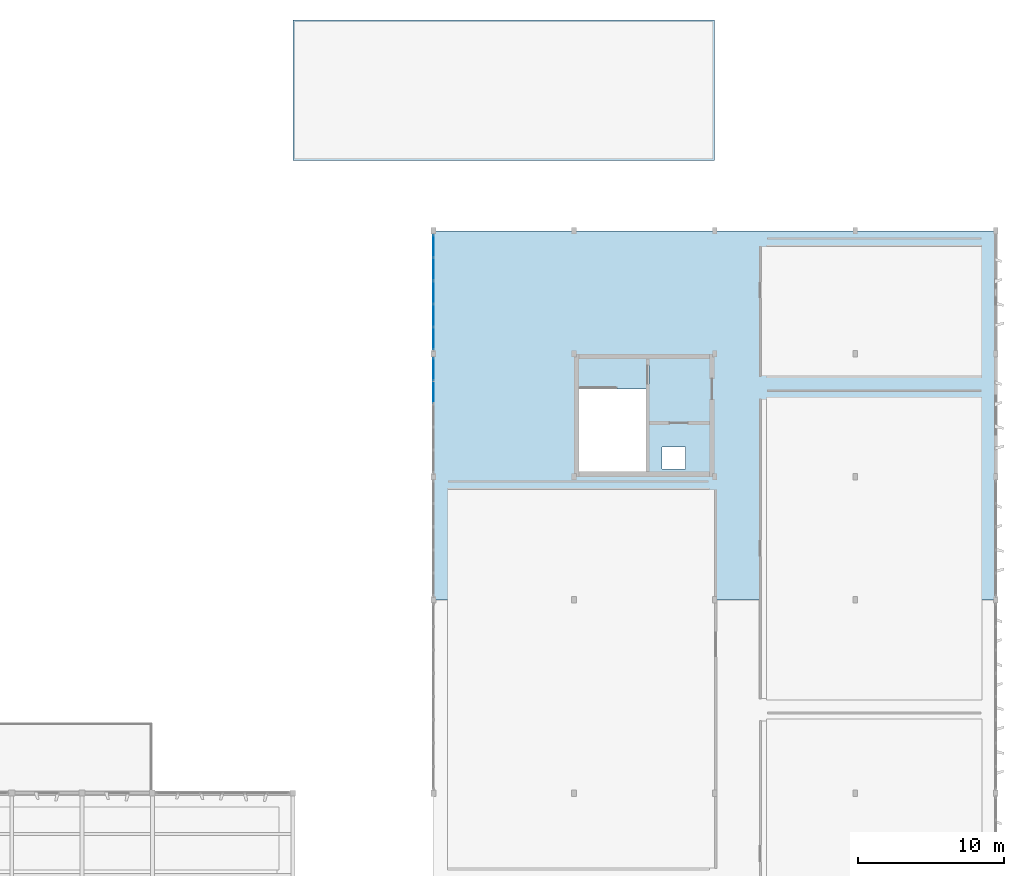
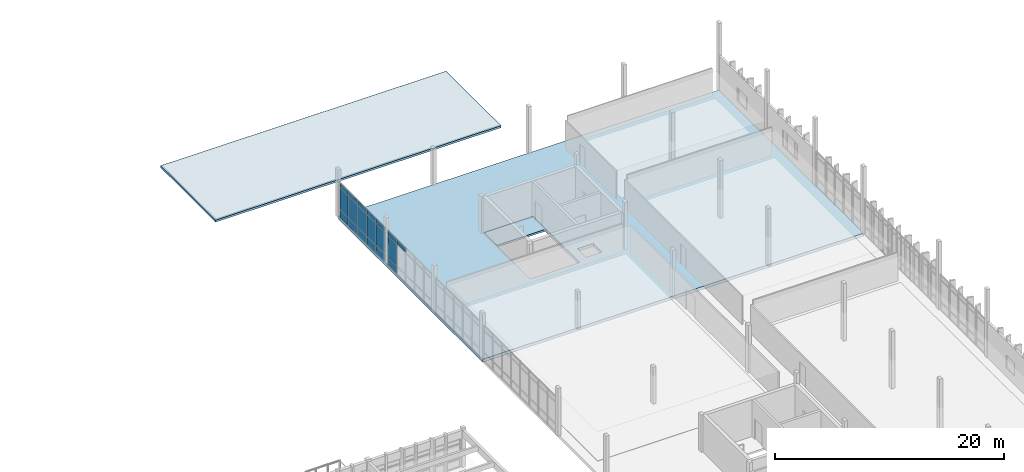
# One storey, part 36 of 61: 19 plates, 3 slabs, 2 elements without a shape of their own.
"""IFC4 building model written with IfcOpenShell, lengths in metres."""

from ifc_helpers import new_model, si_unit, direction, frame, origin, origin_2d, place, context, subcontext, project, spatial, polyline, rectangle, outline, extrude, material, layer, layer_set, type_object, element, aggregate, save


model = new_model("IFC4")

# Units and contexts
model_context = context("Model", 3, precision=1e-05, world=origin(), true_north=direction((0.0, 1.0)))
body_context = subcontext(model_context, "Body", "Model", "MODEL_VIEW")
ifc_project = project(units=[si_unit("LENGTHUNIT", "METRE"), si_unit("AREAUNIT", "SQUARE_METRE"), si_unit("VOLUMEUNIT", "CUBIC_METRE"), si_unit("PLANEANGLEUNIT", "RADIAN"), si_unit("MASSUNIT", "GRAM", prefix="KILO")], contexts=[model_context])

# Site, building, storey
site_placement = place(None, origin())
site = spatial("IfcSite", under=ifc_project, at=site_placement, CompositionType="ELEMENT")
building_placement = place(site_placement, origin())
building = spatial("IfcBuilding", under=site, at=building_placement, Name="Kolvemor Railside Polytechnic", CompositionType="ELEMENT")
storey_placement = place(building_placement, frame((0.0, 0.0, 10.199951171875)))
storey = spatial("IfcBuildingStorey", under=building, at=storey_placement, Name="L02", CompositionType="ELEMENT", Elevation=10.199951171875)

# Curtain wall, plates
ifc_material_1 = material(Name="Anodised marine aluminium and laminated low-E glass", Category="aluminium")
ifc_layer_1 = layer(ifc_material_1, 0.179931640625, Name="CW-UNIT-STD")
ifc_layer_set_1 = layer_set([ifc_layer_1], Name="Anodised marine aluminium and laminated low-E glass")
curtain_wall_type = type_object("IfcCurtainWallType", Name="CW-UNIT-STD", PredefinedType="USERDEFINED", material=ifc_layer_set_1)
curtain_wall_1_placement = place(storey_placement, origin())
curtain_wall_1 = element("IfcCurtainWall", 1, at=curtain_wall_1_placement, inside=storey, type_object=curtain_wall_type, Name="Curtain Wall L02-081", ObjectType="UNITISED CURTAIN WALL", PredefinedType="USERDEFINED")
ifc_material_2 = material(Name="Hurricane-laminated solar-control low-E glass", Category="glass")
ifc_layer_2 = layer(ifc_material_2, 0.050048828125, Name="CWP-GLZ-15")
ifc_layer_set_2 = layer_set([ifc_layer_2], Name="Hurricane-laminated solar-control low-E glass")
plate_type_1 = type_object("IfcPlateType", Name="CWP-GLZ-15", PredefinedType="CURTAIN_PANEL", material=ifc_layer_set_2)
plate_1_placement = place(storey_placement, frame((144.0, 67.349365234375, 0.074951171875), z_axis=(0.0, 0.0, 1.0), x_axis=(0.0, -1.0, 0.0)))
plate_1 = element("IfcPlate", 2, at=plate_1_placement, type_object=plate_type_1, Name="CW-STD panel 1.1", PredefinedType="CURTAIN_PANEL", context=body_context, shape_type="SweptSolid", body=[
    extrude(rectangle(XDim=1.471435546875, YDim=0.050048828125, at=origin_2d()), origin(), (0.0, 0.0, 1.0), 0.78759765625),
])
plate_2_placement = place(storey_placement, frame((144.0, 67.349365234375, 0.9375), z_axis=(0.0, 0.0, 1.0), x_axis=(0.0, -1.0, 0.0)))
plate_2 = element("IfcPlate", 3, at=plate_2_placement, type_object=plate_type_1, Name="CW-STD panel 1.2", PredefinedType="CURTAIN_PANEL", context=body_context, shape_type="SweptSolid", body=[
    extrude(rectangle(XDim=1.471435546875, YDim=0.050048828125, at=origin_2d()), origin(), (0.0, 0.0, 1.0), 2.27490234375),
])
plate_3_placement = place(storey_placement, frame((144.0, 67.349365234375, 3.28759765625), z_axis=(0.0, 0.0, 1.0), x_axis=(0.0, -1.0, 0.0)))
plate_3 = element("IfcPlate", 4, at=plate_3_placement, type_object=plate_type_1, Name="CW-STD panel 1.3", PredefinedType="CURTAIN_PANEL", context=body_context, shape_type="SweptSolid", body=[
    extrude(rectangle(XDim=1.471435546875, YDim=0.050048828125, at=origin_2d()), origin(), (0.0, 0.0, 1.0), 0.4375),
])
plate_4_placement = place(storey_placement, frame((144.0, 65.783935546875, 3.28759765625), z_axis=(0.0, 0.0, 1.0), x_axis=(0.0, -1.0, 0.0)))
plate_4 = element("IfcPlate", 5, at=plate_4_placement, type_object=plate_type_1, Name="CW-STD panel 2.3", PredefinedType="CURTAIN_PANEL", context=body_context, shape_type="SweptSolid", body=[
    extrude(rectangle(XDim=1.509033203125, YDim=0.050048828125, at=origin_2d()), origin(), (0.0, 0.0, 1.0), 0.4375),
])
aggregate(curtain_wall_1, [plate_1, plate_2, plate_3, plate_4])

curtain_wall_2_placement = place(storey_placement, origin())
curtain_wall_2 = element("IfcCurtainWall", 6, at=curtain_wall_2_placement, inside=storey, type_object=curtain_wall_type, Name="Curtain Wall L02-088", ObjectType="UNITISED CURTAIN WALL", PredefinedType="USERDEFINED")
ifc_material_3 = material(Name="Hurricane-laminated solar-control low-E glass", Category="glass")
ifc_layer_3 = layer(ifc_material_3, 0.052001953125, Name="CWP-GLZ-16")
ifc_layer_set_3 = layer_set([ifc_layer_3], Name="Hurricane-laminated solar-control low-E glass")
plate_type_2 = type_object("IfcPlateType", Name="CWP-GLZ-16", PredefinedType="CURTAIN_PANEL", material=ifc_layer_set_3)
plate_5_placement = place(storey_placement, frame((144.0, 75.749267578125, 0.074951171875), z_axis=(0.0, 0.0, 1.0), x_axis=(0.0, -1.0, 0.0)))
plate_5 = element("IfcPlate", 7, at=plate_5_placement, type_object=plate_type_2, Name="CW-STD panel 1.1", PredefinedType="CURTAIN_PANEL", context=body_context, shape_type="SweptSolid", body=[
    extrude(rectangle(XDim=1.471435546875, YDim=0.052001953125, at=origin_2d()), origin(), (0.0, 0.0, 1.0), 0.78759765625),
])
plate_6_placement = place(storey_placement, frame((144.0, 75.749267578125, 0.9375), z_axis=(0.0, 0.0, 1.0), x_axis=(0.0, -1.0, 0.0)))
plate_6 = element("IfcPlate", 8, at=plate_6_placement, type_object=plate_type_2, Name="CW-STD panel 1.2", PredefinedType="CURTAIN_PANEL", context=body_context, shape_type="SweptSolid", body=[
    extrude(rectangle(XDim=1.471435546875, YDim=0.052001953125, at=origin_2d()), origin(), (0.0, 0.0, 1.0), 2.27490234375),
])
plate_7_placement = place(storey_placement, frame((144.0, 75.749267578125, 3.28759765625), z_axis=(0.0, 0.0, 1.0), x_axis=(0.0, -1.0, 0.0)))
plate_7 = element("IfcPlate", 9, at=plate_7_placement, type_object=plate_type_2, Name="CW-STD panel 1.3", PredefinedType="CURTAIN_PANEL", context=body_context, shape_type="SweptSolid", body=[
    extrude(rectangle(XDim=1.471435546875, YDim=0.052001953125, at=origin_2d()), origin(), (0.0, 0.0, 1.0), 0.4375),
])
plate_8_placement = place(storey_placement, frame((144.0, 74.18408203125, 0.074951171875), z_axis=(0.0, 0.0, 1.0), x_axis=(0.0, -1.0, 0.0)))
plate_8 = element("IfcPlate", 10, at=plate_8_placement, type_object=plate_type_2, Name="CW-STD panel 2.1", PredefinedType="CURTAIN_PANEL", context=body_context, shape_type="SweptSolid", body=[
    extrude(rectangle(XDim=1.509033203125, YDim=0.052001953125, at=origin_2d()), origin(), (0.0, 0.0, 1.0), 0.78759765625),
])
plate_9_placement = place(storey_placement, frame((144.0, 74.18408203125, 0.9375), z_axis=(0.0, 0.0, 1.0), x_axis=(0.0, -1.0, 0.0)))
plate_9 = element("IfcPlate", 11, at=plate_9_placement, type_object=plate_type_2, Name="CW-STD panel 2.2", PredefinedType="CURTAIN_PANEL", context=body_context, shape_type="SweptSolid", body=[
    extrude(rectangle(XDim=1.509033203125, YDim=0.052001953125, at=origin_2d()), origin(), (0.0, 0.0, 1.0), 2.27490234375),
])
plate_10_placement = place(storey_placement, frame((144.0, 74.18408203125, 3.28759765625), z_axis=(0.0, 0.0, 1.0), x_axis=(0.0, -1.0, 0.0)))
plate_10 = element("IfcPlate", 12, at=plate_10_placement, type_object=plate_type_2, Name="CW-STD panel 2.3", PredefinedType="CURTAIN_PANEL", context=body_context, shape_type="SweptSolid", body=[
    extrude(rectangle(XDim=1.509033203125, YDim=0.052001953125, at=origin_2d()), origin(), (0.0, 0.0, 1.0), 0.4375),
])
plate_11_placement = place(storey_placement, frame((144.0, 72.60009765625, 0.074951171875), z_axis=(0.0, 0.0, 1.0), x_axis=(0.0, -1.0, 0.0)))
plate_11 = element("IfcPlate", 13, at=plate_11_placement, type_object=plate_type_2, Name="CW-STD panel 3.1", PredefinedType="CURTAIN_PANEL", context=body_context, shape_type="SweptSolid", body=[
    extrude(rectangle(XDim=1.509033203125, YDim=0.052001953125, at=origin_2d()), origin(), (0.0, 0.0, 1.0), 0.78759765625),
])
plate_12_placement = place(storey_placement, frame((144.0, 72.60009765625, 0.9375), z_axis=(0.0, 0.0, 1.0), x_axis=(0.0, -1.0, 0.0)))
plate_12 = element("IfcPlate", 14, at=plate_12_placement, type_object=plate_type_2, Name="CW-STD panel 3.2", PredefinedType="CURTAIN_PANEL", context=body_context, shape_type="SweptSolid", body=[
    extrude(rectangle(XDim=1.509033203125, YDim=0.052001953125, at=origin_2d()), origin(), (0.0, 0.0, 1.0), 2.27490234375),
])
plate_13_placement = place(storey_placement, frame((144.0, 72.60009765625, 3.28759765625), z_axis=(0.0, 0.0, 1.0), x_axis=(0.0, -1.0, 0.0)))
plate_13 = element("IfcPlate", 15, at=plate_13_placement, type_object=plate_type_2, Name="CW-STD panel 3.3", PredefinedType="CURTAIN_PANEL", context=body_context, shape_type="SweptSolid", body=[
    extrude(rectangle(XDim=1.509033203125, YDim=0.052001953125, at=origin_2d()), origin(), (0.0, 0.0, 1.0), 0.4375),
])
plate_14_placement = place(storey_placement, frame((144.0, 71.01611328125, 0.074951171875), z_axis=(0.0, 0.0, 1.0), x_axis=(0.0, -1.0, 0.0)))
plate_14 = element("IfcPlate", 16, at=plate_14_placement, type_object=plate_type_2, Name="CW-STD panel 4.1", PredefinedType="CURTAIN_PANEL", context=body_context, shape_type="SweptSolid", body=[
    extrude(rectangle(XDim=1.509033203125, YDim=0.052001953125, at=origin_2d()), origin(), (0.0, 0.0, 1.0), 0.78759765625),
])
plate_15_placement = place(storey_placement, frame((144.0, 71.01611328125, 0.9375), z_axis=(0.0, 0.0, 1.0), x_axis=(0.0, -1.0, 0.0)))
plate_15 = element("IfcPlate", 17, at=plate_15_placement, type_object=plate_type_2, Name="CW-STD panel 4.2", PredefinedType="CURTAIN_PANEL", context=body_context, shape_type="SweptSolid", body=[
    extrude(rectangle(XDim=1.509033203125, YDim=0.052001953125, at=origin_2d()), origin(), (0.0, 0.0, 1.0), 2.27490234375),
])
plate_16_placement = place(storey_placement, frame((144.0, 71.01611328125, 3.28759765625), z_axis=(0.0, 0.0, 1.0), x_axis=(0.0, -1.0, 0.0)))
plate_16 = element("IfcPlate", 18, at=plate_16_placement, type_object=plate_type_2, Name="CW-STD panel 4.3", PredefinedType="CURTAIN_PANEL", context=body_context, shape_type="SweptSolid", body=[
    extrude(rectangle(XDim=1.509033203125, YDim=0.052001953125, at=origin_2d()), origin(), (0.0, 0.0, 1.0), 0.4375),
])
plate_17_placement = place(storey_placement, frame((144.0, 69.45068359375, 0.074951171875), z_axis=(0.0, 0.0, 1.0), x_axis=(0.0, -1.0, 0.0)))
plate_17 = element("IfcPlate", 19, at=plate_17_placement, type_object=plate_type_2, Name="CW-STD panel 5.1", PredefinedType="CURTAIN_PANEL", context=body_context, shape_type="SweptSolid", body=[
    extrude(rectangle(XDim=1.471435546875, YDim=0.052001953125, at=origin_2d()), origin(), (0.0, 0.0, 1.0), 0.78759765625),
])
plate_18_placement = place(storey_placement, frame((144.0, 69.45068359375, 0.9375), z_axis=(0.0, 0.0, 1.0), x_axis=(0.0, -1.0, 0.0)))
plate_18 = element("IfcPlate", 20, at=plate_18_placement, type_object=plate_type_2, Name="CW-STD panel 5.2", PredefinedType="CURTAIN_PANEL", context=body_context, shape_type="SweptSolid", body=[
    extrude(rectangle(XDim=1.471435546875, YDim=0.052001953125, at=origin_2d()), origin(), (0.0, 0.0, 1.0), 2.27490234375),
])
plate_19_placement = place(storey_placement, frame((144.0, 69.45068359375, 3.28759765625), z_axis=(0.0, 0.0, 1.0), x_axis=(0.0, -1.0, 0.0)))
plate_19 = element("IfcPlate", 21, at=plate_19_placement, type_object=plate_type_2, Name="CW-STD panel 5.3", PredefinedType="CURTAIN_PANEL", context=body_context, shape_type="SweptSolid", body=[
    extrude(rectangle(XDim=1.471435546875, YDim=0.052001953125, at=origin_2d()), origin(), (0.0, 0.0, 1.0), 0.4375),
])
aggregate(curtain_wall_2, [plate_5, plate_6, plate_7, plate_8, plate_9, plate_10, plate_11, plate_12, plate_13, plate_14, plate_15, plate_16, plate_17, plate_18, plate_19])

# Slabs
ifc_material_4 = material(Name="Concrete C40/50", Category="concrete")
ifc_layer_4 = layer(ifc_material_4, 0.199951171875, Name="SLB-LND-200")
ifc_layer_set_4 = layer_set([ifc_layer_4], Name="Concrete C40/50")
slab_type_1 = type_object("IfcSlabType", Name="SLB-LND-200", PredefinedType="LANDING", material=ifc_layer_set_4)
slab_1_placement = place(storey_placement, frame((0.0, 0.0, -0.199951171875)))
element("IfcSlab", 22, at=slab_1_placement, inside=storey, type_object=slab_type_1, Name="ST-7 Floor Landing L02", PredefinedType="LANDING", context=body_context, shape_type="SweptSolid", body=[
    extrude(outline(polyline([(153.760009765625, 66.0), (158.68994140625, 66.0), (158.68994140625, 68.239990234375), (153.760009765625, 68.239990234375), (153.760009765625, 66.0)])), origin(), (0.0, 0.0, 1.0), 0.199951171875),
])
ifc_material_5 = material(Name="Concrete C40/50", Category="concrete")
ifc_layer_5 = layer(ifc_material_5, 0.320068359375, Name="SLB-POD-SEP")
ifc_layer_set_5 = layer_set([ifc_layer_5], Name="Concrete C40/50")
slab_type_2 = type_object("IfcSlabType", Name="SLB-POD-SEP", PredefinedType="FLOOR", material=ifc_layer_set_5)
slab_2_placement = place(storey_placement, frame((0.0, 0.0, -0.320068359375)))
element("IfcSlab", 23, at=slab_2_placement, inside=storey, type_object=slab_type_2, Name="V4 Lounge L02 North Slab L02-72", PredefinedType="FLOOR", context=body_context, shape_type="SweptSolid", body=[
    extrude(outline(polyline([(144.0, 51.60009765625), (182.39990234375, 51.60009765625), (182.39990234375, 76.800048828125), (144.0, 76.800048828125), (144.0, 51.60009765625)]), holes=[polyline([(153.739990234375, 60.139892578125), (158.7099609375, 60.139892578125), (158.7099609375, 68.260009765625), (153.739990234375, 68.260009765625), (153.739990234375, 60.139892578125)]), polyline([(159.60009765625, 60.550048828125), (161.199951171875, 60.550048828125), (161.199951171875, 62.050048828125), (159.60009765625, 62.050048828125), (159.60009765625, 60.550048828125)])]), origin(), (0.0, 0.0, 1.0), 0.320068359375),
])
ifc_material_6 = material(Name="Cross-laminated timber CLT E1", Category="wood")
ifc_layer_6 = layer(ifc_material_6, 0.215087890625, Name="SLB-WG-ROOF")
ifc_layer_set_6 = layer_set([ifc_layer_6], Name="Cross-laminated timber CLT E1")
slab_type_3 = type_object("IfcSlabType", Name="SLB-WG-ROOF", PredefinedType="ROOF", material=ifc_layer_set_6)
slab_3_placement = place(storey_placement, frame((0.0, 0.0, -0.21484375)))
element("IfcSlab", 24, at=slab_3_placement, inside=storey, type_object=slab_type_3, Name="East Link Roof Slab L02-75", PredefinedType="ROOF", context=body_context, shape_type="SweptSolid", body=[
    extrude(outline(polyline([(134.39990234375, 81.60009765625), (163.199951171875, 81.60009765625), (163.199951171875, 91.199951171875), (134.39990234375, 91.199951171875), (134.39990234375, 81.60009765625)])), origin(), (0.0, 0.0, 1.0), 0.21484375),
])

save(model, "model.ifc")
